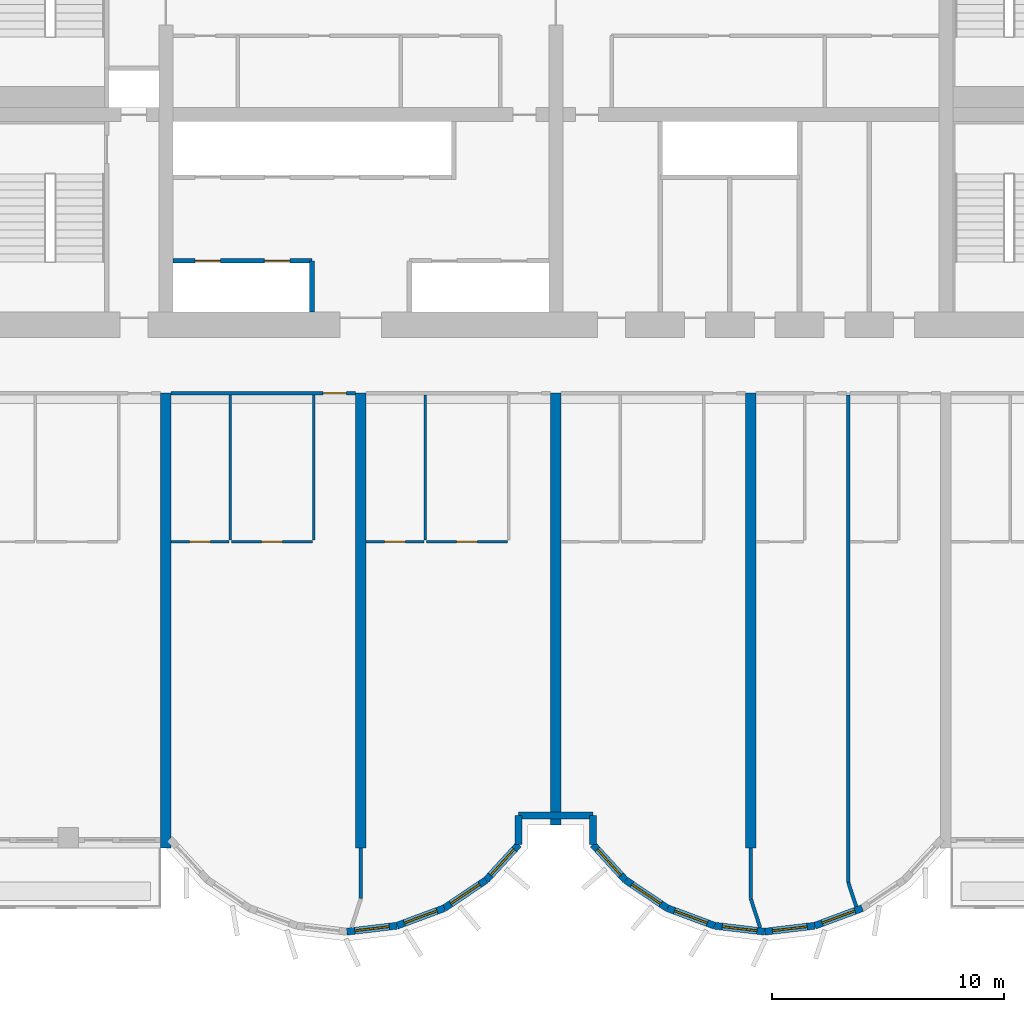
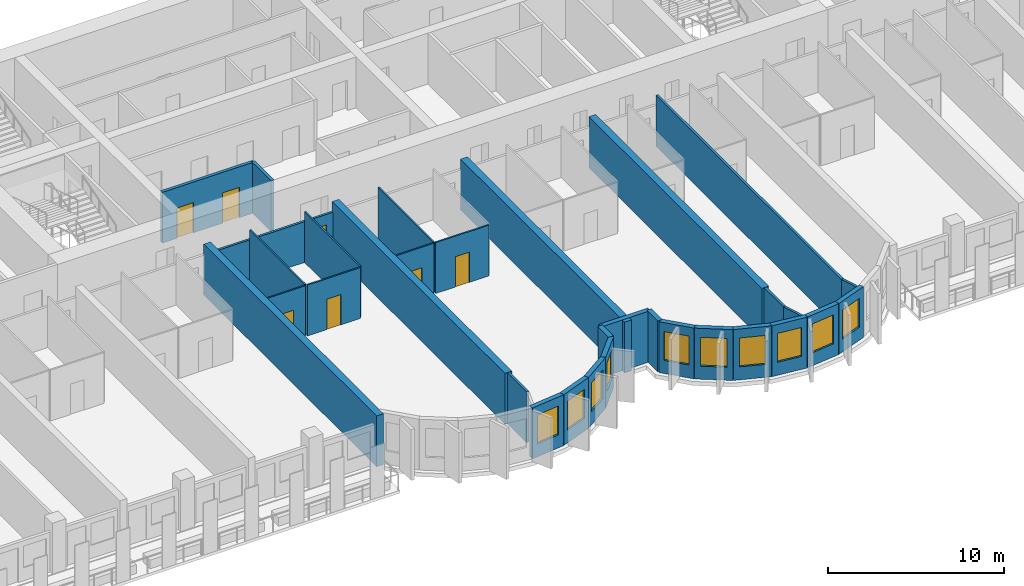
# One storey, part 4 of 15: 32 walls, 10 windows, 7 doors, 17 openings.
"""IFC4 building model written with IfcOpenShell, lengths in metres."""

from ifc_helpers import new_model, si_unit, direction, frame, frame_2d, origin, place, context, subcontext, project, spatial, rectangle, extrude, source, transform, mapped, material, layer, layer_set, type_object, element, fill, save


model = new_model("IFC4")

# Units and contexts
model_context = context("Model", 3, precision=1e-05, world=origin(), true_north=direction((0.0, 1.0)))
body_context = subcontext(model_context, "Body", "Model", "MODEL_VIEW")
ifc_project = project(units=[si_unit("LENGTHUNIT", "METRE"), si_unit("AREAUNIT", "SQUARE_METRE"), si_unit("VOLUMEUNIT", "CUBIC_METRE"), si_unit("PLANEANGLEUNIT", "RADIAN"), si_unit("MASSUNIT", "GRAM", prefix="KILO")], contexts=[model_context])

# Site, building, storey
site_placement = place(None, origin())
site = spatial("IfcSite", under=ifc_project, at=site_placement, CompositionType="ELEMENT")
building_placement = place(site_placement, origin())
building = spatial("IfcBuilding", under=site, at=building_placement, Name="Vanashikhar Sky Hotel", CompositionType="ELEMENT")
storey_placement = place(building_placement, frame((0.0, 0.0, 39.199951171875)))
storey = spatial("IfcBuildingStorey", under=building, at=storey_placement, Name="L08", CompositionType="ELEMENT", Elevation=39.199951171875)

# Walls
ifc_material_1 = material(Name="Concrete M80", Category="concrete")
ifc_layer_1 = layer(ifc_material_1, 0.449951171875)
ifc_layer_set_1 = layer_set([ifc_layer_1], Name="RC shear wall 450 Concrete M80")
wall_type_1 = type_object("IfcWallType", Name="RC shear wall 450 Concrete M80", PredefinedType="SHEAR", material=ifc_layer_set_1)
shared_shape_1 = source(origin(), body_context, "Body", "SweptSolid", [
    extrude(rectangle(XDim=19.60009765625, YDim=0.449951171875, at=frame_2d((9.800048828125, 0.0))), origin(), (0.0, 0.0, 1.0), 3.52001953125),
])
for number, where, z_axis, x_axis, name in (
    (1, (33.60009765625, 0.0, 0.0), (0.0, 0.0, 1.0), (0.0, 1.0, 0.0), "CW-L08-XW05-1"),
    (2, (42.0, 0.0, 0.0), (0.0, 0.0, 1.0), (0.0, 1.0, 0.0), "CW-L08-XW06-1"),
    (3, (58.800048828125, 0.0, 0.0), (0.0, 0.0, 1.0), (0.0, 1.0, 0.0), "CW-L08-XW08-1"),
):
    element("IfcWall", number, at=place(storey_placement, frame(where, z_axis=z_axis, x_axis=x_axis)), inside=storey, type_object=wall_type_1, Name=name, PredefinedType="SHEAR", context=body_context, shape_type="MappedRepresentation", body=[
        mapped(shared_shape_1, transform((0.0, 0.0, 0.0), scale=1.0)),
    ])
shared_shape_2 = source(origin(), body_context, "Body", "SweptSolid", [
    extrude(rectangle(XDim=18.60009765625, YDim=0.449951171875, at=frame_2d((9.300048828125, 0.0))), origin(), (0.0, 0.0, 1.0), 3.52001953125),
])
wall_1_placement = place(storey_placement, frame((50.39990234375, 1.0, 0.0), z_axis=(0.0, 0.0, 1.0), x_axis=(0.0, 1.0, 0.0)))
element("IfcWall", 4, at=wall_1_placement, inside=storey, type_object=wall_type_1, Name="CW-L08-XW07-1", PredefinedType="SHEAR", context=body_context, shape_type="MappedRepresentation", body=[
    mapped(shared_shape_2, transform((0.0, 0.0, 0.0), scale=1.0)),
])

# Wall, opening, window
ifc_material_2 = material(Name="Concrete M50", Category="concrete")
ifc_layer_2 = layer(ifc_material_2, 0.300048828125)
ifc_layer_set_2 = layer_set([ifc_layer_2], Name="Lobe wall 300")
wall_type_2 = type_object("IfcWallType", Name="Lobe wall 300", PredefinedType="SOLIDWALL", material=ifc_layer_set_2)
shared_shape_3 = source(origin(), body_context, "Body", "SweptSolid", [
    extrude(rectangle(XDim=2.17578125, YDim=0.300048828125, at=frame_2d((1.087890625, 0.0))), origin(), (0.0, 0.0, 1.0), 3.52001953125),
])
wall_2_placement = place(storey_placement, frame((45.59912109375, -2.58349609375, 0.0), z_axis=(0.0, 0.0, 1.0), x_axis=(0.829625727223, 0.558319937607, 0.0)))
wall_2 = element("IfcWall", 5, at=wall_2_placement, inside=storey, type_object=wall_type_2, Name="Lobe wall", PredefinedType="SOLIDWALL", context=body_context, shape_type="MappedRepresentation", body=[
    mapped(shared_shape_3, transform((0.0, 0.0, 0.0), scale=1.0)),
])
shared_shape_4 = source(origin(), body_context, "Body", "SweptSolid", [
    extrude(rectangle(XDim=1.5, YDim=2.0, at=frame_2d((0.75, 1.0))), frame((0.0, 0.16015625, 0.0), z_axis=(0.0, -1.0, 0.0), x_axis=(1.0, 0.0, 0.0)), (0.0, 0.0, 1.0), 0.320068359375),
])
opening_1_placement = place(wall_2_placement, frame((0.337890625, 0.0, 0.89990234375)))
opening_1 = element("IfcOpeningElement", 6, at=opening_1_placement, cuts=wall_2, Name="Opening WN-2", PredefinedType="OPENING", context=body_context, shape_type="MappedRepresentation", body=[
    mapped(shared_shape_4, transform((0.0, 0.0, 0.0), scale=1.0)),
])
ifc_material_3 = material(Name="Glass", Category="glass")
window_type = type_object("IfcWindowType", Name="Lobe window 1500 x 2000", PartitioningType="SINGLE_PANEL", PredefinedType="WINDOW", material=ifc_material_3)
shared_shape_5 = source(origin(), body_context, "Body", "SweptSolid", [
    extrude(rectangle(XDim=1.5, YDim=2.0, at=frame_2d((0.75, 1.0))), frame((0.0, 0.030029296875, 0.0), z_axis=(0.0, -1.0, 0.0), x_axis=(1.0, 0.0, 0.0)), (0.0, 0.0, 1.0), 0.06005859375),
])
window_1_placement = place(opening_1_placement, origin())
window_1 = element("IfcWindow", 7, at=window_1_placement, inside=storey, type_object=window_type, Name="Window WN-2", OverallHeight=2.0, OverallWidth=1.5, PartitioningType="SINGLE_PANEL", PredefinedType="WINDOW", context=body_context, shape_type="MappedRepresentation", body=[
    mapped(shared_shape_5, transform((0.0, 0.0, 0.0), scale=1.0)),
])
fill(opening_1, window_1)

wall_3_placement = place(storey_placement, frame((53.395751953125, -1.36865234375, 0.0), z_axis=(0.0, 0.0, 1.0), x_axis=(0.829590746428, -0.558371913192, 0.0)))
wall_3 = element("IfcWall", 8, at=wall_3_placement, inside=storey, type_object=wall_type_2, Name="Lobe wall", PredefinedType="SOLIDWALL", context=body_context, shape_type="MappedRepresentation", body=[
    mapped(shared_shape_3, transform((0.0, 0.0, 0.0), scale=1.0)),
])
opening_2_placement = place(wall_3_placement, frame((0.337890625, 0.0, 0.89990234375)))
opening_2 = element("IfcOpeningElement", 9, at=opening_2_placement, cuts=wall_3, Name="Opening WN-2", PredefinedType="OPENING", context=body_context, shape_type="MappedRepresentation", body=[
    mapped(shared_shape_4, transform((0.0, 0.0, 0.0), scale=1.0)),
])
window_2_placement = place(opening_2_placement, origin())
window_2 = element("IfcWindow", 10, at=window_2_placement, inside=storey, type_object=window_type, Name="Window WN-2", OverallHeight=2.0, OverallWidth=1.5, PartitioningType="SINGLE_PANEL", PredefinedType="WINDOW", context=body_context, shape_type="MappedRepresentation", body=[
    mapped(shared_shape_5, transform((0.0, 0.0, 0.0), scale=1.0)),
])
fill(opening_2, window_2)

wall_4_placement = place(storey_placement, frame((55.20068359375, -2.58349609375, 0.0), z_axis=(0.0, 0.0, 1.0), x_axis=(0.93754555999, -0.347862505801, 0.0)))
wall_4 = element("IfcWall", 11, at=wall_4_placement, inside=storey, type_object=wall_type_2, Name="Lobe wall", PredefinedType="SOLIDWALL", context=body_context, shape_type="MappedRepresentation", body=[
    mapped(shared_shape_3, transform((0.0, 0.0, 0.0), scale=1.0)),
])
opening_3_placement = place(wall_4_placement, frame((0.337890625, 0.0, 0.89990234375)))
opening_3 = element("IfcOpeningElement", 12, at=opening_3_placement, cuts=wall_4, Name="Opening WN-2", PredefinedType="OPENING", context=body_context, shape_type="MappedRepresentation", body=[
    mapped(shared_shape_4, transform((0.0, 0.0, 0.0), scale=1.0)),
])
window_3_placement = place(opening_3_placement, origin())
window_3 = element("IfcWindow", 13, at=window_3_placement, inside=storey, type_object=window_type, Name="Window WN-2", OverallHeight=2.0, OverallWidth=1.5, PartitioningType="SINGLE_PANEL", PredefinedType="WINDOW", context=body_context, shape_type="MappedRepresentation", body=[
    mapped(shared_shape_5, transform((0.0, 0.0, 0.0), scale=1.0)),
])
fill(opening_3, window_3)

shared_shape_6 = source(origin(), body_context, "Body", "SweptSolid", [
    extrude(rectangle(XDim=2.174560546875, YDim=0.300048828125, at=frame_2d((1.08740234375, 0.0))), origin(), (0.0, 0.0, 1.0), 3.52001953125),
])
wall_5_placement = place(storey_placement, frame((57.240478515625, -3.34033203125, 0.0), z_axis=(0.0, 0.0, 1.0), x_axis=(0.993001132889, -0.118104826659, 0.0)))
wall_5 = element("IfcWall", 14, at=wall_5_placement, inside=storey, type_object=wall_type_2, Name="Lobe wall", PredefinedType="SOLIDWALL", context=body_context, shape_type="MappedRepresentation", body=[
    mapped(shared_shape_6, transform((0.0, 0.0, 0.0), scale=1.0)),
])
opening_4_placement = place(wall_5_placement, frame((0.33740234375, 0.0, 0.89990234375)))
opening_4 = element("IfcOpeningElement", 15, at=opening_4_placement, cuts=wall_5, Name="Opening WN-2", PredefinedType="OPENING", context=body_context, shape_type="MappedRepresentation", body=[
    mapped(shared_shape_4, transform((0.0, 0.0, 0.0), scale=1.0)),
])
window_4_placement = place(opening_4_placement, origin())
window_4 = element("IfcWindow", 16, at=window_4_placement, inside=storey, type_object=window_type, Name="Window WN-2", OverallHeight=2.0, OverallWidth=1.5, PartitioningType="SINGLE_PANEL", PredefinedType="WINDOW", context=body_context, shape_type="MappedRepresentation", body=[
    mapped(shared_shape_5, transform((0.0, 0.0, 0.0), scale=1.0)),
])
fill(opening_4, window_4)

shared_shape_7 = source(origin(), body_context, "Body", "SweptSolid", [
    extrude(rectangle(XDim=2.1748046875, YDim=0.300048828125, at=frame_2d((1.08740234375, 0.0))), origin(), (0.0, 0.0, 1.0), 3.52001953125),
])
wall_6_placement = place(storey_placement, frame((41.39990234375, -3.59716796875, 0.0), z_axis=(0.0, 0.0, 1.0), x_axis=(0.993002698611, 0.118091661648, 0.0)))
wall_6 = element("IfcWall", 17, at=wall_6_placement, inside=storey, type_object=wall_type_2, Name="Lobe wall", PredefinedType="SOLIDWALL", context=body_context, shape_type="MappedRepresentation", body=[
    mapped(shared_shape_7, transform((0.0, 0.0, 0.0), scale=1.0)),
])
opening_5_placement = place(wall_6_placement, frame((0.33740234375, 0.0, 0.89990234375)))
opening_5 = element("IfcOpeningElement", 18, at=opening_5_placement, cuts=wall_6, Name="Opening WN-2", PredefinedType="OPENING", context=body_context, shape_type="MappedRepresentation", body=[
    mapped(shared_shape_4, transform((0.0, 0.0, 0.0), scale=1.0)),
])
window_5_placement = place(opening_5_placement, origin())
window_5 = element("IfcWindow", 19, at=window_5_placement, inside=storey, type_object=window_type, Name="Window WN-2", OverallHeight=2.0, OverallWidth=1.5, PartitioningType="SINGLE_PANEL", PredefinedType="WINDOW", context=body_context, shape_type="MappedRepresentation", body=[
    mapped(shared_shape_5, transform((0.0, 0.0, 0.0), scale=1.0)),
])
fill(opening_5, window_5)

wall_7_placement = place(storey_placement, frame((59.39990234375, -3.59716796875, 0.0), z_axis=(0.0, 0.0, 1.0), x_axis=(0.993002698611, 0.118091661648, 0.0)))
wall_7 = element("IfcWall", 20, at=wall_7_placement, inside=storey, type_object=wall_type_2, Name="Lobe wall", PredefinedType="SOLIDWALL", context=body_context, shape_type="MappedRepresentation", body=[
    mapped(shared_shape_7, transform((0.0, 0.0, 0.0), scale=1.0)),
])
opening_6_placement = place(wall_7_placement, frame((0.33740234375, 0.0, 0.89990234375)))
opening_6 = element("IfcOpeningElement", 21, at=opening_6_placement, cuts=wall_7, Name="Opening WN-2", PredefinedType="OPENING", context=body_context, shape_type="MappedRepresentation", body=[
    mapped(shared_shape_4, transform((0.0, 0.0, 0.0), scale=1.0)),
])
window_6_placement = place(opening_6_placement, origin())
window_6 = element("IfcWindow", 22, at=window_6_placement, inside=storey, type_object=window_type, Name="Window WN-2", OverallHeight=2.0, OverallWidth=1.5, PartitioningType="SINGLE_PANEL", PredefinedType="WINDOW", context=body_context, shape_type="MappedRepresentation", body=[
    mapped(shared_shape_5, transform((0.0, 0.0, 0.0), scale=1.0)),
])
fill(opening_6, window_6)

shared_shape_8 = source(origin(), body_context, "Body", "SweptSolid", [
    extrude(rectangle(XDim=2.175537109375, YDim=0.300048828125, at=frame_2d((1.087890625, 0.0))), origin(), (0.0, 0.0, 1.0), 3.52001953125),
])
wall_8_placement = place(storey_placement, frame((43.5595703125, -3.34033203125, 0.0), z_axis=(0.0, 0.0, 1.0), x_axis=(0.937531979054, 0.347899106424, 0.0)))
wall_8 = element("IfcWall", 23, at=wall_8_placement, inside=storey, type_object=wall_type_2, Name="Lobe wall", PredefinedType="SOLIDWALL", context=body_context, shape_type="MappedRepresentation", body=[
    mapped(shared_shape_8, transform((0.0, 0.0, 0.0), scale=1.0)),
])
opening_7_placement = place(wall_8_placement, frame((0.337890625, 0.0, 0.89990234375)))
opening_7 = element("IfcOpeningElement", 24, at=opening_7_placement, cuts=wall_8, Name="Opening WN-2", PredefinedType="OPENING", context=body_context, shape_type="MappedRepresentation", body=[
    mapped(shared_shape_4, transform((0.0, 0.0, 0.0), scale=1.0)),
])
window_7_placement = place(opening_7_placement, origin())
window_7 = element("IfcWindow", 25, at=window_7_placement, inside=storey, type_object=window_type, Name="Window WN-2", OverallHeight=2.0, OverallWidth=1.5, PartitioningType="SINGLE_PANEL", PredefinedType="WINDOW", context=body_context, shape_type="MappedRepresentation", body=[
    mapped(shared_shape_5, transform((0.0, 0.0, 0.0), scale=1.0)),
])
fill(opening_7, window_7)

wall_9_placement = place(storey_placement, frame((61.5595703125, -3.34033203125, 0.0), z_axis=(0.0, 0.0, 1.0), x_axis=(0.937531979054, 0.347899106424, 0.0)))
wall_9 = element("IfcWall", 26, at=wall_9_placement, inside=storey, type_object=wall_type_2, Name="Lobe wall", PredefinedType="SOLIDWALL", context=body_context, shape_type="MappedRepresentation", body=[
    mapped(shared_shape_8, transform((0.0, 0.0, 0.0), scale=1.0)),
])
opening_8_placement = place(wall_9_placement, frame((0.337890625, 0.0, 0.89990234375)))
opening_8 = element("IfcOpeningElement", 27, at=opening_8_placement, cuts=wall_9, Name="Opening WN-2", PredefinedType="OPENING", context=body_context, shape_type="MappedRepresentation", body=[
    mapped(shared_shape_4, transform((0.0, 0.0, 0.0), scale=1.0)),
])
window_8_placement = place(opening_8_placement, origin())
window_8 = element("IfcWindow", 28, at=window_8_placement, inside=storey, type_object=window_type, Name="Window WN-2", OverallHeight=2.0, OverallWidth=1.5, PartitioningType="SINGLE_PANEL", PredefinedType="WINDOW", context=body_context, shape_type="MappedRepresentation", body=[
    mapped(shared_shape_5, transform((0.0, 0.0, 0.0), scale=1.0)),
])
fill(opening_8, window_8)

shared_shape_9 = source(origin(), body_context, "Body", "SweptSolid", [
    extrude(rectangle(XDim=2.066650390625, YDim=0.300048828125, at=frame_2d((1.033203125, 0.0))), origin(), (0.0, 0.0, 1.0), 3.52001953125),
])
wall_10_placement = place(storey_placement, frame((47.404296875, -1.36865234375, 0.0), z_axis=(0.0, 0.0, 1.0), x_axis=(0.675355439877, 0.737492393065, 0.0)))
wall_10 = element("IfcWall", 29, at=wall_10_placement, inside=storey, type_object=wall_type_2, Name="Lobe wall", PredefinedType="SOLIDWALL", context=body_context, shape_type="MappedRepresentation", body=[
    mapped(shared_shape_9, transform((0.0, 0.0, 0.0), scale=1.0)),
])
opening_9_placement = place(wall_10_placement, frame((0.283447265625, 0.0, 0.89990234375)))
opening_9 = element("IfcOpeningElement", 30, at=opening_9_placement, cuts=wall_10, Name="Opening WN-2", PredefinedType="OPENING", context=body_context, shape_type="MappedRepresentation", body=[
    mapped(shared_shape_4, transform((0.0, 0.0, 0.0), scale=1.0)),
])
window_9_placement = place(opening_9_placement, origin())
window_9 = element("IfcWindow", 31, at=window_9_placement, inside=storey, type_object=window_type, Name="Window WN-2", OverallHeight=2.0, OverallWidth=1.5, PartitioningType="SINGLE_PANEL", PredefinedType="WINDOW", context=body_context, shape_type="MappedRepresentation", body=[
    mapped(shared_shape_5, transform((0.0, 0.0, 0.0), scale=1.0)),
])
fill(opening_9, window_9)

wall_11_placement = place(storey_placement, frame((52.0, 0.155517578125, 0.0), z_axis=(0.0, 0.0, 1.0), x_axis=(0.675355439877, -0.737492393065, 0.0)))
wall_11 = element("IfcWall", 32, at=wall_11_placement, inside=storey, type_object=wall_type_2, Name="Lobe wall", PredefinedType="SOLIDWALL", context=body_context, shape_type="MappedRepresentation", body=[
    mapped(shared_shape_9, transform((0.0, 0.0, 0.0), scale=1.0)),
])
opening_10_placement = place(wall_11_placement, frame((0.283447265625, 0.0, 0.89990234375)))
opening_10 = element("IfcOpeningElement", 33, at=opening_10_placement, cuts=wall_11, Name="Opening WN-2", PredefinedType="OPENING", context=body_context, shape_type="MappedRepresentation", body=[
    mapped(shared_shape_4, transform((0.0, 0.0, 0.0), scale=1.0)),
])
window_10_placement = place(opening_10_placement, origin())
window_10 = element("IfcWindow", 34, at=window_10_placement, inside=storey, type_object=window_type, Name="Window WN-2", OverallHeight=2.0, OverallWidth=1.5, PartitioningType="SINGLE_PANEL", PredefinedType="WINDOW", context=body_context, shape_type="MappedRepresentation", body=[
    mapped(shared_shape_5, transform((0.0, 0.0, 0.0), scale=1.0)),
])
fill(opening_10, window_10)

# Walls
shared_shape_10 = source(origin(), body_context, "Body", "SweptSolid", [
    extrude(rectangle(XDim=1.244384765625, YDim=0.300048828125, at=frame_2d((0.6220703125, 0.0))), origin(), (0.0, 0.0, 1.0), 3.52001953125),
])
for number, where, z_axis, x_axis, name in (
    (35, (48.800048828125, 0.155517578125, 0.0), (0.0, 0.0, 1.0), (0.0, 1.0, 0.0), "Groove wall"),
    (36, (52.0, 1.39990234375, 0.0), (0.0, 0.0, 1.0), (0.0, -1.0, 0.0), "Groove wall"),
):
    element("IfcWall", number, at=place(storey_placement, frame(where, z_axis=z_axis, x_axis=x_axis)), inside=storey, type_object=wall_type_2, Name=name, PredefinedType="SOLIDWALL", context=body_context, shape_type="MappedRepresentation", body=[
        mapped(shared_shape_10, transform((0.0, 0.0, 0.0), scale=1.0)),
    ])
shared_shape_11 = source(origin(), body_context, "Body", "SweptSolid", [
    extrude(rectangle(XDim=3.199951171875, YDim=0.300048828125, at=frame_2d((1.60009765625, 0.0))), origin(), (0.0, 0.0, 1.0), 3.52001953125),
])
wall_12_placement = place(storey_placement, frame((48.800048828125, 1.39990234375, 0.0), z_axis=(0.0, 0.0, 1.0), x_axis=(1.0, 0.0, 0.0)))
element("IfcWall", 37, at=wall_12_placement, inside=storey, type_object=wall_type_2, Name="Groove wall", PredefinedType="SOLIDWALL", context=body_context, shape_type="MappedRepresentation", body=[
    mapped(shared_shape_11, transform((0.0, 0.0, 0.0), scale=1.0)),
])

# Wall, openings, doors
ifc_material_4 = material(Name="Concrete M40", Category="concrete")
ifc_layer_3 = layer(ifc_material_4, 0.199951171875)
ifc_layer_set_3 = layer_set([ifc_layer_3], Name="Shaft wall 200")
wall_type_3 = type_object("IfcWallType", Name="Shaft wall 200", PredefinedType="SOLIDWALL", material=ifc_layer_set_3)
shared_shape_12 = source(origin(), body_context, "Body", "SweptSolid", [
    extrude(rectangle(XDim=6.0, YDim=0.199951171875, at=frame_2d((3.0, 0.0))), origin(), (0.0, 0.0, 1.0), 3.52001953125),
])
wall_13_placement = place(storey_placement, frame((33.89990234375, 25.300048828125, 0.0), z_axis=(0.0, 0.0, 1.0), x_axis=(1.0, 0.0, 0.0)))
wall_13 = element("IfcWall", 38, at=wall_13_placement, inside=storey, type_object=wall_type_3, Name="Shaft wall 200", PredefinedType="SOLIDWALL", context=body_context, shape_type="MappedRepresentation", body=[
    mapped(shared_shape_12, transform((0.0, 0.0, 0.0), scale=1.0)),
])
shared_shape_13 = source(origin(), body_context, "Body", "SweptSolid", [
    extrude(rectangle(XDim=1.10009765625, YDim=2.10009765625, at=frame_2d((0.550048828125, 1.050048828125))), frame((0.0, 0.10986328125, 0.0), z_axis=(0.0, -1.0, 0.0), x_axis=(1.0, 0.0, 0.0)), (0.0, 0.0, 1.0), 0.219970703125),
])
opening_11_placement = place(wall_13_placement, frame((0.949951171875, 0.0, 0.0)))
opening_11 = element("IfcOpeningElement", 39, at=opening_11_placement, cuts=wall_13, Name="Opening LD", PredefinedType="OPENING", context=body_context, shape_type="MappedRepresentation", body=[
    mapped(shared_shape_13, transform((0.0, 0.0, 0.0), scale=1.0)),
])
opening_12_placement = place(wall_13_placement, frame((3.949951171875, 0.0, 0.0)))
opening_12 = element("IfcOpeningElement", 40, at=opening_12_placement, cuts=wall_13, Name="Opening LD", PredefinedType="OPENING", context=body_context, shape_type="MappedRepresentation", body=[
    mapped(shared_shape_13, transform((0.0, 0.0, 0.0), scale=1.0)),
])
ifc_material_5 = material(Name="Stainless steel", Category="steel")
door_type_1 = type_object("IfcDoorType", Name="Lift landing door 1100", OperationType="NOTDEFINED", PredefinedType="DOOR", material=ifc_material_5)
shared_shape_14 = source(origin(), body_context, "Body", "SweptSolid", [
    extrude(rectangle(XDim=1.10009765625, YDim=2.10009765625, at=frame_2d((0.550048828125, 1.050048828125))), frame((0.0, 0.02490234375, 0.0), z_axis=(0.0, -1.0, 0.0), x_axis=(1.0, 0.0, 0.0)), (0.0, 0.0, 1.0), 0.050048828125),
])
door_1_placement = place(opening_11_placement, origin())
door_1 = element("IfcDoor", 41, at=door_1_placement, inside=storey, type_object=door_type_1, Name="Lift landing door 1100", OperationType="SLIDING_TO_LEFT", OverallHeight=2.10009765625, OverallWidth=1.10009765625, PredefinedType="DOOR", context=body_context, shape_type="MappedRepresentation", body=[
    mapped(shared_shape_14, transform((0.0, 0.0, 0.0), scale=1.0)),
])
fill(opening_11, door_1)
door_2_placement = place(opening_12_placement, origin())
door_2 = element("IfcDoor", 42, at=door_2_placement, inside=storey, type_object=door_type_1, Name="Lift landing door 1100", OperationType="SLIDING_TO_RIGHT", OverallHeight=2.10009765625, OverallWidth=1.10009765625, PredefinedType="DOOR", context=body_context, shape_type="MappedRepresentation", body=[
    mapped(shared_shape_14, transform((0.0, 0.0, 0.0), scale=1.0)),
])
fill(opening_12, door_2)

# Walls
shared_shape_15 = source(origin(), body_context, "Body", "SweptSolid", [
    extrude(rectangle(XDim=2.199951171875, YDim=0.199951171875, at=frame_2d((1.10009765625, 0.0))), origin(), (0.0, 0.0, 1.0), 3.52001953125),
])
wall_14_placement = place(storey_placement, frame((39.89990234375, 23.10009765625, 0.0), z_axis=(0.0, 0.0, 1.0), x_axis=(0.0, 1.0, 0.0)))
element("IfcWall", 43, at=wall_14_placement, inside=storey, type_object=wall_type_3, Name="Shaft wall 200", PredefinedType="SOLIDWALL", context=body_context, shape_type="MappedRepresentation", body=[
    mapped(shared_shape_15, transform((0.0, 0.0, 0.0), scale=1.0)),
])
ifc_material_6 = material(Name="Gypsum plasterboard partition")
ifc_layer_4 = layer(ifc_material_6, 0.14990234375)
ifc_layer_set_4 = layer_set([ifc_layer_4], Name="Corridor and demising partition 150")
wall_type_4 = type_object("IfcWallType", Name="Corridor and demising partition 150", PredefinedType="PARTITIONING", material=ifc_layer_set_4)
shared_shape_16 = source(origin(), body_context, "Body", "SweptSolid", [
    extrude(rectangle(XDim=20.997802734375, YDim=0.14990234375, at=frame_2d((10.4990234375, 0.0))), origin(), (0.0, 0.0, 1.0), 3.52001953125),
])
wall_15_placement = place(storey_placement, frame((63.0, -1.472900390625, 0.0), z_axis=(0.0, 0.0, 1.0), x_axis=(0.0, 1.0, 0.0)))
element("IfcWall", 44, at=wall_15_placement, inside=storey, type_object=wall_type_4, Name="W-L08-PW044", PredefinedType="PARTITIONING", context=body_context, shape_type="MappedRepresentation", body=[
    mapped(shared_shape_16, transform((0.0, 0.0, 0.0), scale=1.0)),
])
shared_shape_17 = source(origin(), body_context, "Body", "SweptSolid", [
    extrude(rectangle(XDim=2.177978515625, YDim=0.14990234375, at=frame_2d((1.0888671875, 0.0))), origin(), (0.0, 0.0, 1.0), 3.52001953125),
])
for number, where, z_axis, x_axis, name in (
    (45, (42.0, -2.177978515625, 0.0), (0.0, 0.0, 1.0), (0.0, 1.0, 0.0), "W-L08-PW068"),
    (46, (58.800048828125, -2.177978515625, 0.0), (0.0, 0.0, 1.0), (0.0, 1.0, 0.0), "W-L08-PW069"),
):
    element("IfcWall", number, at=place(storey_placement, frame(where, z_axis=z_axis, x_axis=x_axis)), inside=storey, type_object=wall_type_4, Name=name, PredefinedType="PARTITIONING", context=body_context, shape_type="MappedRepresentation", body=[
        mapped(shared_shape_17, transform((0.0, 0.0, 0.0), scale=1.0)),
    ])

# Wall, opening, door
ifc_layer_5 = layer(ifc_material_6, 0.10009765625)
ifc_layer_set_5 = layer_set([ifc_layer_5], Name="Wet room partition 100")
wall_type_5 = type_object("IfcWallType", Name="Wet room partition 100", PredefinedType="PARTITIONING", material=ifc_layer_set_5)
shared_shape_18 = source(origin(), body_context, "Body", "SweptSolid", [
    extrude(rectangle(XDim=3.5, YDim=0.10009765625, at=frame_2d((1.75, 0.0))), origin(), (0.0, 0.0, 1.0), 3.52001953125),
])
wall_16_placement = place(storey_placement, frame((36.425048828125, 13.199951171875, 0.0), z_axis=(0.0, 0.0, 1.0), x_axis=(1.0, 0.0, 0.0)))
wall_16 = element("IfcWall", 47, at=wall_16_placement, inside=storey, type_object=wall_type_5, Name="W-L08-PW025", PredefinedType="PARTITIONING", context=body_context, shape_type="MappedRepresentation", body=[
    mapped(shared_shape_18, transform((0.0, 0.0, 0.0), scale=1.0)),
])
shared_shape_19 = source(origin(), body_context, "Body", "SweptSolid", [
    extrude(rectangle(XDim=0.89990234375, YDim=2.10009765625, at=frame_2d((0.449951171875, 1.050048828125))), frame((0.0, 0.06005859375, 0.0), z_axis=(0.0, -1.0, 0.0), x_axis=(1.0, 0.0, 0.0)), (0.0, 0.0, 1.0), 0.1201171875),
])
opening_13_placement = place(wall_16_placement, frame((1.300048828125, 0.0, 0.0)))
opening_13 = element("IfcOpeningElement", 48, at=opening_13_placement, cuts=wall_16, Name="Opening D-02", PredefinedType="OPENING", context=body_context, shape_type="MappedRepresentation", body=[
    mapped(shared_shape_19, transform((0.0, 0.0, 0.0), scale=1.0)),
])
ifc_material_7 = material(Name="Timber door", Category="wood")
door_type_2 = type_object("IfcDoorType", Name="Internal door 900", OperationType="NOTDEFINED", PredefinedType="DOOR", material=ifc_material_7)
shared_shape_20 = source(origin(), body_context, "Body", "SweptSolid", [
    extrude(rectangle(XDim=0.89990234375, YDim=2.10009765625, at=frame_2d((0.449951171875, 1.050048828125))), frame((0.0, 0.02490234375, 0.0), z_axis=(0.0, -1.0, 0.0), x_axis=(1.0, 0.0, 0.0)), (0.0, 0.0, 1.0), 0.050048828125),
])
door_3_placement = place(opening_13_placement, origin())
door_3 = element("IfcDoor", 49, at=door_3_placement, inside=storey, type_object=door_type_2, Name="D-L08-014", OperationType="SINGLE_SWING_RIGHT", OverallHeight=2.10009765625, OverallWidth=0.89990234375, PredefinedType="DOOR", context=body_context, shape_type="MappedRepresentation", body=[
    mapped(shared_shape_20, transform((0.0, 0.0, 0.0), scale=1.0)),
])
fill(opening_13, door_3)

wall_17_placement = place(storey_placement, frame((44.824951171875, 13.199951171875, 0.0), z_axis=(0.0, 0.0, 1.0), x_axis=(1.0, 0.0, 0.0)))
wall_17 = element("IfcWall", 50, at=wall_17_placement, inside=storey, type_object=wall_type_5, Name="W-L08-PW030", PredefinedType="PARTITIONING", context=body_context, shape_type="MappedRepresentation", body=[
    mapped(shared_shape_18, transform((0.0, 0.0, 0.0), scale=1.0)),
])
opening_14_placement = place(wall_17_placement, frame((1.300048828125, 0.0, 0.0)))
opening_14 = element("IfcOpeningElement", 51, at=opening_14_placement, cuts=wall_17, Name="Opening D-02", PredefinedType="OPENING", context=body_context, shape_type="MappedRepresentation", body=[
    mapped(shared_shape_19, transform((0.0, 0.0, 0.0), scale=1.0)),
])
door_4_placement = place(opening_14_placement, origin())
door_4 = element("IfcDoor", 52, at=door_4_placement, inside=storey, type_object=door_type_2, Name="D-L08-017", OperationType="SINGLE_SWING_RIGHT", OverallHeight=2.10009765625, OverallWidth=0.89990234375, PredefinedType="DOOR", context=body_context, shape_type="MappedRepresentation", body=[
    mapped(shared_shape_20, transform((0.0, 0.0, 0.0), scale=1.0)),
])
fill(opening_14, door_4)

# Walls
shared_shape_21 = source(origin(), body_context, "Body", "SweptSolid", [
    extrude(rectangle(XDim=1.100830078125, YDim=0.14990234375, at=frame_2d((0.55029296875, 0.0))), origin(), (0.0, 0.0, 1.0), 3.52001953125),
])
wall_18_placement = place(storey_placement, frame((63.343017578125, -2.51904296875, 0.0), z_axis=(0.0, 0.0, 1.0), x_axis=(-0.311567081539, 0.950224159712, 0.0)))
element("IfcWall", 53, at=wall_18_placement, inside=storey, type_object=wall_type_4, Name="W-L08-PW044B0", PredefinedType="PARTITIONING", context=body_context, shape_type="MappedRepresentation", body=[
    mapped(shared_shape_21, transform((0.0, 0.0, 0.0), scale=1.0)),
])
shared_shape_22 = source(origin(), body_context, "Body", "SweptSolid", [
    extrude(rectangle(XDim=1.308349609375, YDim=0.14990234375, at=frame_2d((0.654296875, 0.0))), origin(), (0.0, 0.0, 1.0), 3.52001953125),
])
wall_19_placement = place(storey_placement, frame((59.201904296875, -3.423095703125, 0.0), z_axis=(0.0, 0.0, 1.0), x_axis=(-0.307144529633, 0.951662880392, 0.0)))
element("IfcWall", 54, at=wall_19_placement, inside=storey, type_object=wall_type_4, Name="W-L08-PW069B0", PredefinedType="PARTITIONING", context=body_context, shape_type="MappedRepresentation", body=[
    mapped(shared_shape_22, transform((0.0, 0.0, 0.0), scale=1.0)),
])
shared_shape_23 = source(origin(), body_context, "Body", "SweptSolid", [
    extrude(rectangle(XDim=6.25, YDim=0.10009765625, at=frame_2d((3.125, 0.0))), origin(), (0.0, 0.0, 1.0), 3.52001953125),
])
for number, where, z_axis, x_axis, name in (
    (55, (39.97509765625, 13.27490234375, 0.0), (0.0, 0.0, 1.0), (0.0, 1.0, 0.0), "W-L08-PW023"),
    (56, (36.375, 13.27490234375, 0.0), (0.0, 0.0, 1.0), (0.0, 1.0, 0.0), "W-L08-PW024"),
    (57, (44.77490234375, 13.27490234375, 0.0), (0.0, 0.0, 1.0), (0.0, 1.0, 0.0), "W-L08-PW029"),
):
    element("IfcWall", number, at=place(storey_placement, frame(where, z_axis=z_axis, x_axis=x_axis)), inside=storey, type_object=wall_type_5, Name=name, PredefinedType="PARTITIONING", context=body_context, shape_type="MappedRepresentation", body=[
        mapped(shared_shape_23, transform((0.0, 0.0, 0.0), scale=1.0)),
    ])

# Wall, opening, door
shared_shape_24 = source(origin(), body_context, "Body", "SweptSolid", [
    extrude(rectangle(XDim=2.5, YDim=0.10009765625, at=frame_2d((1.25, 0.0))), origin(), (0.0, 0.0, 1.0), 3.52001953125),
])
wall_20_placement = place(storey_placement, frame((33.824951171875, 13.199951171875, 0.0), z_axis=(0.0, 0.0, 1.0), x_axis=(1.0, 0.0, 0.0)))
wall_20 = element("IfcWall", 58, at=wall_20_placement, inside=storey, type_object=wall_type_5, Name="W-L08-PW026", PredefinedType="PARTITIONING", context=body_context, shape_type="MappedRepresentation", body=[
    mapped(shared_shape_24, transform((0.0, 0.0, 0.0), scale=1.0)),
])
opening_15_placement = place(wall_20_placement, frame((0.800048828125, 0.0, 0.0)))
opening_15 = element("IfcOpeningElement", 59, at=opening_15_placement, cuts=wall_20, Name="Opening D-02", PredefinedType="OPENING", context=body_context, shape_type="MappedRepresentation", body=[
    mapped(shared_shape_19, transform((0.0, 0.0, 0.0), scale=1.0)),
])
door_5_placement = place(opening_15_placement, origin())
door_5 = element("IfcDoor", 60, at=door_5_placement, inside=storey, type_object=door_type_2, Name="D-L08-015", OperationType="SINGLE_SWING_RIGHT", OverallHeight=2.10009765625, OverallWidth=0.89990234375, PredefinedType="DOOR", context=body_context, shape_type="MappedRepresentation", body=[
    mapped(shared_shape_20, transform((0.0, 0.0, 0.0), scale=1.0)),
])
fill(opening_15, door_5)

wall_21_placement = place(storey_placement, frame((42.22509765625, 13.199951171875, 0.0), z_axis=(0.0, 0.0, 1.0), x_axis=(1.0, 0.0, 0.0)))
wall_21 = element("IfcWall", 61, at=wall_21_placement, inside=storey, type_object=wall_type_5, Name="W-L08-PW031", PredefinedType="PARTITIONING", context=body_context, shape_type="MappedRepresentation", body=[
    mapped(shared_shape_24, transform((0.0, 0.0, 0.0), scale=1.0)),
])
opening_16_placement = place(wall_21_placement, frame((0.800048828125, 0.0, 0.0)))
opening_16 = element("IfcOpeningElement", 62, at=opening_16_placement, cuts=wall_21, Name="Opening D-02", PredefinedType="OPENING", context=body_context, shape_type="MappedRepresentation", body=[
    mapped(shared_shape_19, transform((0.0, 0.0, 0.0), scale=1.0)),
])
door_6_placement = place(opening_16_placement, origin())
door_6 = element("IfcDoor", 63, at=door_6_placement, inside=storey, type_object=door_type_2, Name="D-L08-018", OperationType="SINGLE_SWING_RIGHT", OverallHeight=2.10009765625, OverallWidth=0.89990234375, PredefinedType="DOOR", context=body_context, shape_type="MappedRepresentation", body=[
    mapped(shared_shape_20, transform((0.0, 0.0, 0.0), scale=1.0)),
])
fill(opening_16, door_6)

shared_shape_25 = source(origin(), body_context, "Body", "SweptSolid", [
    extrude(rectangle(XDim=7.949951171875, YDim=0.14990234375, at=frame_2d((3.97509765625, 0.0))), origin(), (0.0, 0.0, 1.0), 2.820068359375),
])
wall_22_placement = place(storey_placement, frame((33.824951171875, 19.60009765625, 0.0), z_axis=(0.0, 0.0, 1.0), x_axis=(1.0, 0.0, 0.0)))
wall_22 = element("IfcWall", 64, at=wall_22_placement, inside=storey, type_object=wall_type_4, Name="W-L08-PW027", PredefinedType="PARTITIONING", context=body_context, shape_type="MappedRepresentation", body=[
    mapped(shared_shape_25, transform((0.0, 0.0, 0.0), scale=1.0)),
])
shared_shape_26 = source(origin(), body_context, "Body", "SweptSolid", [
    extrude(rectangle(XDim=1.0, YDim=2.10009765625, at=frame_2d((0.5, 1.050048828125))), frame((0.0, 0.0849609375, 0.0), z_axis=(0.0, -1.0, 0.0), x_axis=(1.0, 0.0, 0.0)), (0.0, 0.0, 1.0), 0.169921875),
])
opening_17_placement = place(wall_22_placement, frame((6.550048828125, 0.0, 0.0)))
opening_17 = element("IfcOpeningElement", 65, at=opening_17_placement, cuts=wall_22, Name="Opening D-01", PredefinedType="OPENING", context=body_context, shape_type="MappedRepresentation", body=[
    mapped(shared_shape_26, transform((0.0, 0.0, 0.0), scale=1.0)),
])
ifc_material_8 = material(Name="Timber fire door", Category="wood")
door_type_3 = type_object("IfcDoorType", Name="Guest entry door 1000 FD30S", OperationType="NOTDEFINED", PredefinedType="DOOR", material=ifc_material_8)
shared_shape_27 = source(origin(), body_context, "Body", "SweptSolid", [
    extrude(rectangle(XDim=1.0, YDim=2.10009765625, at=frame_2d((0.5, 1.050048828125))), frame((0.0, 0.02490234375, 0.0), z_axis=(0.0, -1.0, 0.0), x_axis=(1.0, 0.0, 0.0)), (0.0, 0.0, 1.0), 0.050048828125),
])
door_7_placement = place(opening_17_placement, origin())
door_7 = element("IfcDoor", 66, at=door_7_placement, inside=storey, type_object=door_type_3, Name="D-L08-016", OperationType="SINGLE_SWING_RIGHT", OverallHeight=2.10009765625, OverallWidth=1.0, PredefinedType="DOOR", context=body_context, shape_type="MappedRepresentation", body=[
    mapped(shared_shape_27, transform((0.0, 0.0, 0.0), scale=1.0)),
])
fill(opening_17, door_7)

save(model, "model.ifc")
